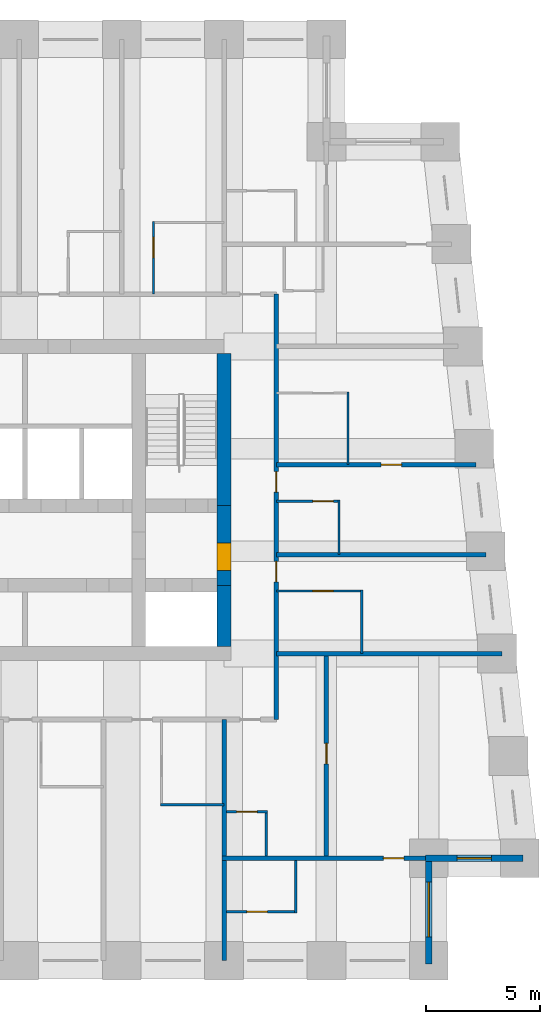
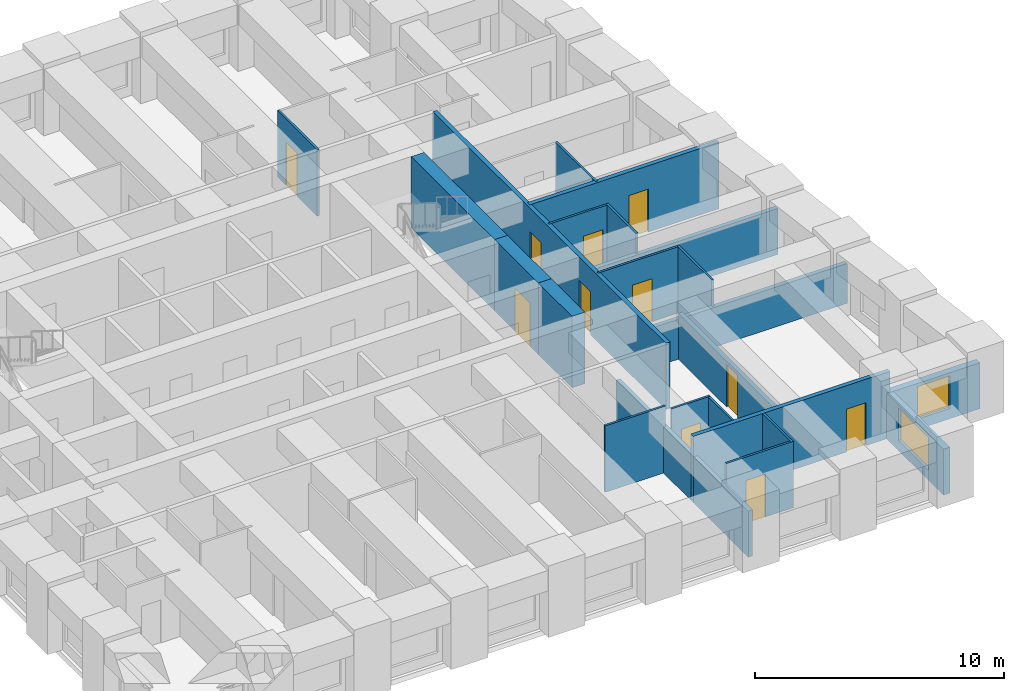
# One storey, part 5 of 8: 23 walls, 11 doors, 2 windows, 13 openings.
"""IFC4 building model written with IfcOpenShell, lengths in metres."""

import ifcopenshell
import ifcopenshell.guid

model = None  # the IFC model being written
_history = None  # IfcOwnerHistory: only IFC2X3 demands one
_inside = {}  # id of a spatial element -> (the spatial element, [elements in it])
_under = {}  # id of a project, library or spatial element -> (it, [spatial elements below it])
_declared = {}  # id of a project -> (the project, [libraries it declares])
_typed = {}  # id of a type object -> (the type object, [elements of that type])
_made_of = {}  # id of a material, layer set ... -> (it, [elements and type objects made of it])


def new_model(schema):
    """Start an empty IFC model of exactly this schema.

    Asked for "IFC4X3", IfcOpenShell would pick the latest addendum, in which some entities
    have other attributes; the version numbers below select the first issue.
    IFC2X3 requires an IfcOwnerHistory on every rooted entity: one is made here for all.
    """
    global model, _history
    if schema == "IFC4X3":
        model = ifcopenshell.file(schema_version=(4, 3, 0, 0))
    else:
        model = ifcopenshell.file(schema=schema)
    _inside.clear()
    _under.clear()
    _declared.clear()
    _typed.clear()
    _made_of.clear()
    _history = None
    if model.schema == "IFC2X3":
        org = make("IfcOrganization", Name="unknown")
        user = make(
            "IfcPersonAndOrganization",
            ThePerson=make("IfcPerson", FamilyName="unknown"),
            TheOrganization=org,
        )
        app = make(
            "IfcApplication",
            ApplicationDeveloper=org,
            Version="unknown",
            ApplicationFullName="unknown",
            ApplicationIdentifier="unknown",
        )
        _history = make(
            "IfcOwnerHistory",
            OwningUser=user,
            OwningApplication=app,
            ChangeAction="ADDED",
            CreationDate=0,
        )
    return model


def make(cls, **values):
    """One entity of the class cls with the attributes given. An attribute that is None is left unset."""
    return model.create_entity(
        cls, **{name: value for name, value in values.items() if value is not None}
    )


def rooted(cls, **values):
    """An entity with a GlobalId (a new one), such as an element, a storey or a relation."""
    return make(cls, GlobalId=ifcopenshell.guid.new(), OwnerHistory=_history, **values)


def si_unit(unit_type, name, prefix=None):
    """IfcSIUnit, for example si_unit("LENGTHUNIT", "METRE", prefix="MILLI")."""
    return make("IfcSIUnit", UnitType=unit_type, Prefix=prefix, Name=name)


def assignment(units):
    """IfcUnitAssignment: the units of a project."""
    return None if units is None else make("IfcUnitAssignment", Units=units)


def point(xyz):
    """IfcCartesianPoint."""
    return None if xyz is None else make("IfcCartesianPoint", Coordinates=xyz)


def direction(xyz):
    """IfcDirection."""
    return None if xyz is None else make("IfcDirection", DirectionRatios=xyz)


def frame(location, z_axis=None, x_axis=None):
    """IfcAxis2Placement3D, a coordinate frame: its origin and axes. An axis left out is left unset."""
    return make(
        "IfcAxis2Placement3D",
        Location=point(location),
        Axis=direction(z_axis),
        RefDirection=direction(x_axis),
    )


def frame_2d(location, x_axis=None):
    """IfcAxis2Placement2D, a coordinate frame in the plane: its origin and x axis."""
    return make(
        "IfcAxis2Placement2D", Location=point(location), RefDirection=direction(x_axis)
    )


def origin():
    """The frame at (0, 0, 0) with its axes left unset."""
    return frame((0.0, 0.0, 0.0))


def place(relative_to, where):
    """IfcLocalPlacement: puts the frame where relative to a parent placement (None: the world)."""
    return make(
        "IfcLocalPlacement", PlacementRelTo=relative_to, RelativePlacement=where
    )


def context(
    kind, dimensions, precision=None, world=None, true_north=None, identifier=None
):
    """IfcGeometricRepresentationContext, for example the 3D "Model" context."""
    return make(
        "IfcGeometricRepresentationContext",
        ContextIdentifier=identifier,
        ContextType=kind,
        CoordinateSpaceDimension=dimensions,
        Precision=precision,
        WorldCoordinateSystem=world,
        TrueNorth=true_north,
    )


def subcontext(parent, identifier, kind, view, scale=None):
    """IfcGeometricRepresentationSubContext, for example "Body" below "Model"."""
    return make(
        "IfcGeometricRepresentationSubContext",
        ContextIdentifier=identifier,
        ContextType=kind,
        ParentContext=parent,
        TargetScale=scale,
        TargetView=view,
    )


def project(units=None, contexts=None):
    """IfcProject with its units and contexts."""
    return rooted(
        "IfcProject",
        Name="project",
        RepresentationContexts=contexts,
        UnitsInContext=assignment(units),
    )


def spatial(cls, under=None, at=None, **own):
    """A site, building, storey or space (cls), placed at a placement, below another one or the project."""
    s = rooted(cls, ObjectPlacement=at, **own)
    if under is not None:
        _under.setdefault(under.id(), (under, []))[1].append(s)
    return s


def profile(cls, at=None, kind="AREA", **sizes):
    """A parametric profile (cls). Its sizes go by their IFC names, for example OverallWidth=200.0."""
    return make(cls, ProfileType=kind, Position=at, **sizes)


def rectangle(**sizes):
    """IfcRectangleProfileDef."""
    return profile("IfcRectangleProfileDef", **sizes)


def extrude(swept, where, along, depth):
    """IfcExtrudedAreaSolid: the profile swept, set in the frame where, extruded along a direction by depth."""
    return make(
        "IfcExtrudedAreaSolid",
        SweptArea=swept,
        Position=where,
        ExtrudedDirection=direction(along),
        Depth=depth,
    )


def shape(context_of_items, identifier, shape_type, items):
    """IfcShapeRepresentation: the items that make up one representation, for example the "Body"."""
    return make(
        "IfcShapeRepresentation",
        ContextOfItems=context_of_items,
        RepresentationIdentifier=identifier,
        RepresentationType=shape_type,
        Items=items,
    )


def material(Name=None, Category=None):
    """IfcMaterial."""
    return make("IfcMaterial", Name=Name, Category=Category)


def layer(
    of_material, thickness, ventilated=None, Name=None, Category=None, Priority=None
):
    """IfcMaterialLayer: one layer of a wall or slab, of a material (None: an air gap)."""
    return make(
        "IfcMaterialLayer",
        Material=of_material,
        LayerThickness=thickness,
        IsVentilated=ventilated,
        Name=Name,
        Category=Category,
        Priority=Priority,
    )


def layer_set(layers, Name=None):
    """IfcMaterialLayerSet."""
    return make("IfcMaterialLayerSet", MaterialLayers=layers, LayerSetName=Name)


def made_of(thing, what):
    """Note that an element or type object is made of a material, layer set ...; save() writes the relation."""
    if what is not None:
        _made_of.setdefault(what.id(), (what, []))[1].append(thing)
    return thing


def type_object(cls, material=None, **own):
    """A type object (cls), such as IfcWallType, which elements share."""
    return made_of(rooted(cls, **own), material)


def element(
    cls,
    number,
    at=None,
    inside=None,
    cuts=None,
    type_object=None,
    material=None,
    context=None,
    identifier="Body",
    shape_type=None,
    held_by="IfcProductDefinitionShape",
    body=None,
    shapes=None,
    **own,
):
    """One element of the class cls, such as IfcWall. Its Tag is "e" and its number.

    at: its placement. inside: the storey or other place that contains it. cuts: it is an
    opening in that element (IfcRelVoidsElement). A single representation is given by context,
    identifier, shape_type and body (its items); several are given by shapes. held_by: the class
    of the entity that holds the representations. save() writes the other relations.
    """
    e = rooted(cls, Tag="e%d" % number, ObjectPlacement=at, **own)
    if body is not None:
        shapes = [shape(context, identifier, shape_type, body)]
    if shapes is not None:
        e.Representation = make(held_by, Representations=shapes)
    if inside is not None:
        _inside.setdefault(inside.id(), (inside, []))[1].append(e)
    if cuts is not None:
        rooted(
            "IfcRelVoidsElement", RelatingBuildingElement=cuts, RelatedOpeningElement=e
        )
    if type_object is not None:
        _typed.setdefault(type_object.id(), (type_object, []))[1].append(e)
    return made_of(e, material)


def fill(opening, filler):
    """IfcRelFillsElement: the door or window that sits in an opening."""
    return rooted(
        "IfcRelFillsElement",
        RelatingOpeningElement=opening,
        RelatedBuildingElement=filler,
    )


def aggregate(whole, parts):
    """IfcRelAggregates: a whole, such as a stair, and the parts it consists of."""
    return rooted("IfcRelAggregates", RelatingObject=whole, RelatedObjects=parts)


def save(model, path):
    """Write the relations noted so far, then the file.

    IfcRelAggregates (storeys below a building ...), IfcRelContainedInSpatialStructure (elements
    in a storey), IfcRelDefinesByType, IfcRelAssociatesMaterial and IfcRelDeclares: one each for
    every whole, place, type object, material and project.
    """
    for whole, parts in _under.values():
        aggregate(whole, parts)
    for where, things in _inside.values():
        rooted(
            "IfcRelContainedInSpatialStructure",
            RelatedElements=things,
            RelatingStructure=where,
        )
    for kind, things in _typed.values():
        rooted("IfcRelDefinesByType", RelatedObjects=things, RelatingType=kind)
    for what, things in _made_of.values():
        rooted("IfcRelAssociatesMaterial", RelatedObjects=things, RelatingMaterial=what)
    for by, libraries in _declared.values():
        rooted("IfcRelDeclares", RelatingContext=by, RelatedDefinitions=libraries)
    model.write(path)


model = new_model("IFC4")

# Units and contexts
model_context = context("Model", 3, precision=1e-05, world=origin(), true_north=direction((0.0, 1.0)))
body_context = subcontext(model_context, "Body", "Model", "MODEL_VIEW")
ifc_project = project(units=[si_unit("LENGTHUNIT", "METRE"), si_unit("AREAUNIT", "SQUARE_METRE"), si_unit("VOLUMEUNIT", "CUBIC_METRE"), si_unit("PLANEANGLEUNIT", "RADIAN"), si_unit("MASSUNIT", "GRAM", prefix="KILO")], contexts=[model_context])

# Site, building, storey
site_placement = place(None, origin())
site = spatial("IfcSite", under=ifc_project, at=site_placement, CompositionType="ELEMENT")
building_placement = place(site_placement, origin())
building = spatial("IfcBuilding", under=site, at=building_placement, Name="Kilele Tower Hotel", CompositionType="ELEMENT")
storey_placement = place(building_placement, frame((0.0, 0.0, 204.39990234375)))
storey = spatial("IfcBuildingStorey", under=building, at=storey_placement, Name="L53", CompositionType="ELEMENT", Elevation=204.39990234375)

# Walls
ifc_material_1 = material(Name="Moisture-resistant board")
ifc_layer_1 = layer(ifc_material_1, 0.10009765625)
ifc_layer_set_1 = layer_set([ifc_layer_1], Name="Moisture-resistant board")
wall_type_1 = type_object("IfcWallType", Name="Bathroom partition 100", PredefinedType="PLUMBINGWALL", material=ifc_layer_set_1)
for number, where, z_axis, x_axis, name in (
    (1, (33.199951171875, 6.85009765625, 0.0), (0.0, 0.0, 1.0), (1.0, 0.0, 0.0), "Bathroom partition 100 L53"),
    (2, (42.050048828125, 13.5, 0.0), (0.0, 0.0, 1.0), (0.0, 1.0, 0.0), "Bathroom partition 100 L53"),
):
    element("IfcWall", number, at=place(storey_placement, frame(where, z_axis=z_axis, x_axis=x_axis)), inside=storey, type_object=wall_type_1, Name=name, PredefinedType="PLUMBINGWALL", context=body_context, shape_type="SweptSolid", body=[
        extrude(rectangle(XDim=2.800048828125, YDim=0.10009765625, at=frame_2d((1.39990234375, 0.0))), origin(), (0.0, 0.0, 1.0), 3.25),
    ])

# Wall, opening, door
wall_1_placement = place(storey_placement, frame((38.300048828125, 16.25, 0.0), z_axis=(0.0, 0.0, 1.0), x_axis=(1.0, 0.0, 0.0)))
wall_1 = element("IfcWall", 3, at=wall_1_placement, inside=storey, type_object=wall_type_1, Name="Bathroom partition 100 L53", PredefinedType="PLUMBINGWALL", context=body_context, shape_type="SweptSolid", body=[
    extrude(rectangle(XDim=3.800048828125, YDim=0.10009765625, at=frame_2d((1.89990234375, 0.0))), origin(), (0.0, 0.0, 1.0), 3.25),
])
opening_1_placement = place(wall_1_placement, frame((1.60009765625, 0.0, 0.0)))
opening_1 = element("IfcOpeningElement", 4, at=opening_1_placement, cuts=wall_1, Name="Opening D2A", PredefinedType="OPENING", context=body_context, shape_type="SweptSolid", body=[
    extrude(rectangle(XDim=0.89990234375, YDim=2.10009765625, at=frame_2d((0.449951171875, 1.050048828125))), frame((0.0, 0.06005859375, 0.0), z_axis=(0.0, -1.0, 0.0), x_axis=(1.0, 0.0, 0.0)), (0.0, 0.0, 1.0), 0.1201171875),
])
ifc_material_2 = material(Name="Timber door leaf in hardwood frame", Category="wood")
door_type_1 = type_object("IfcDoorType", Name="Bathroom door 900", OperationType="SINGLE_SWING_LEFT", PredefinedType="DOOR", material=ifc_material_2)
door_1_placement = place(opening_1_placement, origin())
door_1 = element("IfcDoor", 5, at=door_1_placement, inside=storey, type_object=door_type_1, Name="Bathroom door 5306B", OperationType="SINGLE_SWING_LEFT", OverallHeight=2.10009765625, OverallWidth=0.89990234375, PredefinedType="DOOR", context=body_context, shape_type="SweptSolid", body=[
    extrude(rectangle(XDim=0.89990234375, YDim=2.10009765625, at=frame_2d((0.449951171875, 1.050048828125))), frame((0.0, 0.02490234375, 0.0), z_axis=(0.0, -1.0, 0.0), x_axis=(1.0, 0.0, 0.0)), (0.0, 0.0, 1.0), 0.050048828125),
])
fill(opening_1, door_1)

# Wall
wall_2_placement = place(storey_placement, frame((41.050048828125, 17.85009765625, 0.0), z_axis=(0.0, 0.0, 1.0), x_axis=(0.0, 1.0, 0.0)))
element("IfcWall", 6, at=wall_2_placement, inside=storey, type_object=wall_type_1, Name="Bathroom partition 100 L53", PredefinedType="PLUMBINGWALL", context=body_context, shape_type="SweptSolid", body=[
    extrude(rectangle(XDim=2.39990234375, YDim=0.10009765625, at=frame_2d((1.199951171875, 0.0))), origin(), (0.0, 0.0, 1.0), 3.25),
])

# Wall, opening, door
wall_3_placement = place(storey_placement, frame((38.300048828125, 20.199951171875, 0.0), z_axis=(0.0, 0.0, 1.0), x_axis=(1.0, 0.0, 0.0)))
wall_3 = element("IfcWall", 7, at=wall_3_placement, inside=storey, type_object=wall_type_1, Name="Bathroom partition 100 L53", PredefinedType="PLUMBINGWALL", context=body_context, shape_type="SweptSolid", body=[
    extrude(rectangle(XDim=2.800048828125, YDim=0.10009765625, at=frame_2d((1.39990234375, 0.0))), origin(), (0.0, 0.0, 1.0), 3.25),
])
opening_2_placement = place(wall_3_placement, frame((1.60009765625, 0.0, 0.0)))
opening_2 = element("IfcOpeningElement", 8, at=opening_2_placement, cuts=wall_3, Name="Opening D2A", PredefinedType="OPENING", context=body_context, shape_type="SweptSolid", body=[
    extrude(rectangle(XDim=0.89990234375, YDim=2.10009765625, at=frame_2d((0.449951171875, 1.050048828125))), frame((0.0, 0.06005859375, 0.0), z_axis=(0.0, -1.0, 0.0), x_axis=(1.0, 0.0, 0.0)), (0.0, 0.0, 1.0), 0.1201171875),
])
door_2_placement = place(opening_2_placement, origin())
door_2 = element("IfcDoor", 9, at=door_2_placement, inside=storey, type_object=door_type_1, Name="Bathroom door 5307B", OperationType="SINGLE_SWING_LEFT", OverallHeight=2.10009765625, OverallWidth=0.89990234375, PredefinedType="DOOR", context=body_context, shape_type="SweptSolid", body=[
    extrude(rectangle(XDim=0.89990234375, YDim=2.10009765625, at=frame_2d((0.449951171875, 1.050048828125))), frame((0.0, 0.02490234375, 0.0), z_axis=(0.0, -1.0, 0.0), x_axis=(1.0, 0.0, 0.0)), (0.0, 0.0, 1.0), 0.050048828125),
])
fill(opening_2, door_2)

# Wall
wall_4_placement = place(storey_placement, frame((41.449951171875, 21.800048828125, 0.0), z_axis=(0.0, 0.0, 1.0), x_axis=(0.0, 1.0, 0.0)))
element("IfcWall", 10, at=wall_4_placement, inside=storey, type_object=wall_type_1, Name="Bathroom partition 100 L53", PredefinedType="PLUMBINGWALL", context=body_context, shape_type="SweptSolid", body=[
    extrude(rectangle(XDim=3.199951171875, YDim=0.10009765625, at=frame_2d((1.60009765625, 0.0))), origin(), (0.0, 0.0, 1.0), 3.25),
])

# Wall, opening, door
wall_5_placement = place(storey_placement, frame((32.89990234375, 29.300048828125, 0.0), z_axis=(0.0, 0.0, 1.0), x_axis=(0.0, 1.0, 0.0)))
wall_5 = element("IfcWall", 11, at=wall_5_placement, inside=storey, type_object=wall_type_1, Name="Bathroom partition 100 L53", PredefinedType="PLUMBINGWALL", context=body_context, shape_type="SweptSolid", body=[
    extrude(rectangle(XDim=3.199951171875, YDim=0.10009765625, at=frame_2d((1.60009765625, 0.0))), origin(), (0.0, 0.0, 1.0), 3.25),
])
opening_3_placement = place(wall_5_placement, frame((1.60009765625, 0.0, 0.0)))
opening_3 = element("IfcOpeningElement", 12, at=opening_3_placement, cuts=wall_5, Name="Opening D2A", PredefinedType="OPENING", context=body_context, shape_type="SweptSolid", body=[
    extrude(rectangle(XDim=0.89990234375, YDim=2.10009765625, at=frame_2d((0.449951171875, 1.050048828125))), frame((0.0, 0.06005859375, 0.0), z_axis=(0.0, -1.0, 0.0), x_axis=(1.0, 0.0, 0.0)), (0.0, 0.0, 1.0), 0.1201171875),
])
door_3_placement = place(opening_3_placement, origin())
door_3 = element("IfcDoor", 13, at=door_3_placement, inside=storey, type_object=door_type_1, Name="Bathroom door 5313B", OperationType="SINGLE_SWING_LEFT", OverallHeight=2.10009765625, OverallWidth=0.89990234375, PredefinedType="DOOR", context=body_context, shape_type="SweptSolid", body=[
    extrude(rectangle(XDim=0.89990234375, YDim=2.10009765625, at=frame_2d((0.449951171875, 1.050048828125))), frame((0.0, 0.02490234375, 0.0), z_axis=(0.0, -1.0, 0.0), x_axis=(1.0, 0.0, 0.0)), (0.0, 0.0, 1.0), 0.050048828125),
])
fill(opening_3, door_3)

# Wall
wall_6_placement = place(storey_placement, frame((37.85009765625, 4.60009765625, 0.0), z_axis=(0.0, 0.0, 1.0), x_axis=(0.0, 1.0, 0.0)))
element("IfcWall", 14, at=wall_6_placement, inside=storey, type_object=wall_type_1, Name="Bathroom partition 100 L53", PredefinedType="PLUMBINGWALL", context=body_context, shape_type="SweptSolid", body=[
    extrude(rectangle(XDim=2.0, YDim=0.10009765625, at=frame_2d((1.0, 0.0))), origin(), (0.0, 0.0, 1.0), 3.25),
])

# Wall, opening, door
wall_7_placement = place(storey_placement, frame((36.10009765625, 6.550048828125, 0.0), z_axis=(0.0, 0.0, 1.0), x_axis=(1.0, 0.0, 0.0)))
wall_7 = element("IfcWall", 15, at=wall_7_placement, inside=storey, type_object=wall_type_1, Name="Bathroom partition 100 L53", PredefinedType="PLUMBINGWALL", context=body_context, shape_type="SweptSolid", body=[
    extrude(rectangle(XDim=1.7998046875, YDim=0.10009765625, at=frame_2d((0.89990234375, 0.0))), origin(), (0.0, 0.0, 1.0), 3.25),
])
opening_4_placement = place(wall_7_placement, frame((0.449951171875, 0.0, 0.0)))
opening_4 = element("IfcOpeningElement", 16, at=opening_4_placement, cuts=wall_7, Name="Opening D2A", PredefinedType="OPENING", context=body_context, shape_type="SweptSolid", body=[
    extrude(rectangle(XDim=0.89990234375, YDim=2.10009765625, at=frame_2d((0.449951171875, 1.050048828125))), frame((0.0, 0.06005859375, 0.0), z_axis=(0.0, -1.0, 0.0), x_axis=(1.0, 0.0, 0.0)), (0.0, 0.0, 1.0), 0.1201171875),
])
door_4_placement = place(opening_4_placement, origin())
door_4 = element("IfcDoor", 17, at=door_4_placement, inside=storey, type_object=door_type_1, Name="Bathroom door 5319P", OperationType="SINGLE_SWING_LEFT", OverallHeight=2.10009765625, OverallWidth=0.89990234375, PredefinedType="DOOR", context=body_context, shape_type="SweptSolid", body=[
    extrude(rectangle(XDim=0.89990234375, YDim=2.10009765625, at=frame_2d((0.449951171875, 1.050048828125))), frame((0.0, 0.02490234375, 0.0), z_axis=(0.0, -1.0, 0.0), x_axis=(1.0, 0.0, 0.0)), (0.0, 0.0, 1.0), 0.050048828125),
])
fill(opening_4, door_4)

# Wall
wall_8_placement = place(storey_placement, frame((39.14990234375, 4.39990234375, 0.0), z_axis=(0.0, 0.0, 1.0), x_axis=(0.0, -1.0, 0.0)))
element("IfcWall", 18, at=wall_8_placement, inside=storey, type_object=wall_type_1, Name="Bathroom partition 100 L53", PredefinedType="PLUMBINGWALL", context=body_context, shape_type="SweptSolid", body=[
    extrude(rectangle(XDim=2.2998046875, YDim=0.10009765625, at=frame_2d((1.14990234375, 0.0))), origin(), (0.0, 0.0, 1.0), 3.25),
])

# Wall, opening, door
wall_9_placement = place(storey_placement, frame((36.10009765625, 2.14990234375, 0.0), z_axis=(0.0, 0.0, 1.0), x_axis=(1.0, 0.0, 0.0)))
wall_9 = element("IfcWall", 19, at=wall_9_placement, inside=storey, type_object=wall_type_1, Name="Bathroom partition 100 L53", PredefinedType="PLUMBINGWALL", context=body_context, shape_type="SweptSolid", body=[
    extrude(rectangle(XDim=3.099853515625, YDim=0.10009765625, at=frame_2d((1.5498046875, 0.0))), origin(), (0.0, 0.0, 1.0), 3.25),
])
opening_5_placement = place(wall_9_placement, frame((1.7998046875, 0.0, 0.0), z_axis=(0.0, 0.0, 1.0), x_axis=(-1.0, 0.0, 0.0)))
opening_5 = element("IfcOpeningElement", 20, at=opening_5_placement, cuts=wall_9, Name="Opening D2A", PredefinedType="OPENING", context=body_context, shape_type="SweptSolid", body=[
    extrude(rectangle(XDim=0.89990234375, YDim=2.10009765625, at=frame_2d((0.449951171875, 1.050048828125))), frame((0.0, 0.06005859375, 0.0), z_axis=(0.0, -1.0, 0.0), x_axis=(1.0, 0.0, 0.0)), (0.0, 0.0, 1.0), 0.1201171875),
])
door_5_placement = place(opening_5_placement, origin())
door_5 = element("IfcDoor", 21, at=door_5_placement, inside=storey, type_object=door_type_1, Name="Bathroom door 5321B", OperationType="SINGLE_SWING_RIGHT", OverallHeight=2.10009765625, OverallWidth=0.89990234375, PredefinedType="DOOR", context=body_context, shape_type="SweptSolid", body=[
    extrude(rectangle(XDim=0.89990234375, YDim=2.10009765625, at=frame_2d((0.449951171875, 1.050048828125))), frame((0.0, 0.02490234375, 0.0), z_axis=(0.0, -1.0, 0.0), x_axis=(1.0, 0.0, 0.0)), (0.0, 0.0, 1.0), 0.050048828125),
])
fill(opening_5, door_5)

# Wall
ifc_material_3 = material(Name="Concrete C70/85", Category="concrete")
ifc_layer_2 = layer(ifc_material_3, 0.60009765625)
ifc_layer_set_2 = layer_set([ifc_layer_2], Name="Concrete C70/85")
wall_type_2 = type_object("IfcWallType", Name="Core wall 600 C70/85", PredefinedType="SHEAR", material=ifc_layer_set_2)
wall_10_placement = place(storey_placement, frame((36.0, 13.800048828125, 0.0), z_axis=(0.0, 0.0, 1.0), x_axis=(0.0, 1.0, 0.0)))
element("IfcWall", 22, at=wall_10_placement, inside=storey, type_object=wall_type_2, Name="Core wall E1 L53", PredefinedType="SHEAR", context=body_context, shape_type="SweptSolid", body=[
    extrude(rectangle(XDim=2.699951171875, YDim=0.60009765625, at=frame_2d((1.35009765625, 0.0))), origin(), (0.0, 0.0, 1.0), 3.5),
])

# Wall, opening, door
wall_11_placement = place(storey_placement, frame((36.0, 16.5, 0.0), z_axis=(0.0, 0.0, 1.0), x_axis=(0.0, 1.0, 0.0)))
wall_11 = element("IfcWall", 23, at=wall_11_placement, inside=storey, type_object=wall_type_2, Name="Core wall E2 L53", PredefinedType="SHEAR", context=body_context, shape_type="SweptSolid", body=[
    extrude(rectangle(XDim=3.5, YDim=0.60009765625, at=frame_2d((1.75, 0.0))), origin(), (0.0, 0.0, 1.0), 3.5),
])
opening_6_placement = place(wall_11_placement, frame((0.64990234375, 0.0, 0.0)))
opening_6 = element("IfcOpeningElement", 24, at=opening_6_placement, cuts=wall_11, Name="Opening D4", PredefinedType="OPENING", context=body_context, shape_type="SweptSolid", body=[
    extrude(rectangle(XDim=1.199951171875, YDim=2.10009765625, at=frame_2d((0.60009765625, 1.050048828125))), frame((0.0, 0.31005859375, 0.0), z_axis=(0.0, -1.0, 0.0), x_axis=(1.0, 0.0, 0.0)), (0.0, 0.0, 1.0), 0.6201171875),
])
ifc_material_4 = material(Name="Timber door leaf in hardwood frame", Category="wood")
door_type_2 = type_object("IfcDoorType", Name="Firefighting lobby door 1200", OperationType="SINGLE_SWING_LEFT", PredefinedType="DOOR", material=ifc_material_4)
door_6_placement = place(opening_6_placement, origin())
door_6 = element("IfcDoor", 25, at=door_6_placement, inside=storey, type_object=door_type_2, Name="Lobby door L53", OperationType="SINGLE_SWING_LEFT", OverallHeight=2.10009765625, OverallWidth=1.199951171875, PredefinedType="DOOR", context=body_context, shape_type="SweptSolid", body=[
    extrude(rectangle(XDim=1.199951171875, YDim=2.10009765625, at=frame_2d((0.60009765625, 1.050048828125))), frame((0.0, 0.2998046875, 0.0), z_axis=(0.0, -1.0, 0.0), x_axis=(1.0, 0.0, 0.0)), (0.0, 0.0, 1.0), 0.599609375),
])
fill(opening_6, door_6)

# Wall
wall_12_placement = place(storey_placement, frame((36.0, 20.0, 0.0), z_axis=(0.0, 0.0, 1.0), x_axis=(0.0, 1.0, 0.0)))
element("IfcWall", 26, at=wall_12_placement, inside=storey, type_object=wall_type_2, Name="Core wall E3 L53", PredefinedType="SHEAR", context=body_context, shape_type="SweptSolid", body=[
    extrude(rectangle(XDim=6.699951171875, YDim=0.60009765625, at=frame_2d((3.35009765625, 0.0))), origin(), (0.0, 0.0, 1.0), 3.5),
])

# Wall, openings, doors
ifc_material_5 = material(Name="Blockwork, plastered both sides", Category="masonry")
ifc_layer_3 = layer(ifc_material_5, 0.199951171875)
ifc_layer_set_3 = layer_set([ifc_layer_3], Name="Blockwork, plastered both sides")
wall_type_3 = type_object("IfcWallType", Name="Corridor wall 200", PredefinedType="PARTITIONING", material=ifc_layer_set_3)
wall_13_placement = place(storey_placement, frame((38.300048828125, 10.60009765625, 0.0), z_axis=(0.0, 0.0, 1.0), x_axis=(0.0, 1.0, 0.0)))
wall_13 = element("IfcWall", 27, at=wall_13_placement, inside=storey, type_object=wall_type_3, Name="Corridor wall 200 L53", PredefinedType="PARTITIONING", context=body_context, shape_type="SweptSolid", body=[
    extrude(rectangle(XDim=18.699951171875, YDim=0.199951171875, at=frame_2d((9.35009765625, 0.0))), origin(), (0.0, 0.0, 1.0), 3.25),
])
opening_7_placement = place(wall_13_placement, frame((6.949951171875, 0.0, 0.0), z_axis=(0.0, 0.0, 1.0), x_axis=(-1.0, 0.0, 0.0)))
opening_7 = element("IfcOpeningElement", 28, at=opening_7_placement, cuts=wall_13, Name="Opening D1", PredefinedType="OPENING", context=body_context, shape_type="SweptSolid", body=[
    extrude(rectangle(XDim=0.89990234375, YDim=2.10009765625, at=frame_2d((0.449951171875, 1.050048828125))), frame((0.0, 0.10986328125, 0.0), z_axis=(0.0, -1.0, 0.0), x_axis=(1.0, 0.0, 0.0)), (0.0, 0.0, 1.0), 0.219970703125),
])
opening_8_placement = place(wall_13_placement, frame((10.89990234375, 0.0, 0.0), z_axis=(0.0, 0.0, 1.0), x_axis=(-1.0, 0.0, 0.0)))
opening_8 = element("IfcOpeningElement", 29, at=opening_8_placement, cuts=wall_13, Name="Opening D1", PredefinedType="OPENING", context=body_context, shape_type="SweptSolid", body=[
    extrude(rectangle(XDim=0.89990234375, YDim=2.10009765625, at=frame_2d((0.449951171875, 1.050048828125))), frame((0.0, 0.10986328125, 0.0), z_axis=(0.0, -1.0, 0.0), x_axis=(1.0, 0.0, 0.0)), (0.0, 0.0, 1.0), 0.219970703125),
])
ifc_material_6 = material(Name="Timber door leaf in hardwood frame", Category="wood")
door_type_3 = type_object("IfcDoorType", Name="Guest room entrance door 900", OperationType="SINGLE_SWING_LEFT", PredefinedType="DOOR", material=ifc_material_6)
door_7_placement = place(opening_7_placement, origin())
door_7 = element("IfcDoor", 30, at=door_7_placement, inside=storey, type_object=door_type_3, Name="Room entrance 5306", OperationType="SINGLE_SWING_LEFT", OverallHeight=2.10009765625, OverallWidth=0.89990234375, PredefinedType="DOOR", context=body_context, shape_type="SweptSolid", body=[
    extrude(rectangle(XDim=0.89990234375, YDim=2.10009765625, at=frame_2d((0.449951171875, 1.050048828125))), frame((0.0, 0.02490234375, 0.0), z_axis=(0.0, -1.0, 0.0), x_axis=(1.0, 0.0, 0.0)), (0.0, 0.0, 1.0), 0.050048828125),
])
fill(opening_7, door_7)
door_8_placement = place(opening_8_placement, origin())
door_8 = element("IfcDoor", 31, at=door_8_placement, inside=storey, type_object=door_type_3, Name="Room entrance 5307", OperationType="SINGLE_SWING_LEFT", OverallHeight=2.10009765625, OverallWidth=0.89990234375, PredefinedType="DOOR", context=body_context, shape_type="SweptSolid", body=[
    extrude(rectangle(XDim=0.89990234375, YDim=2.10009765625, at=frame_2d((0.449951171875, 1.050048828125))), frame((0.0, 0.02490234375, 0.0), z_axis=(0.0, -1.0, 0.0), x_axis=(1.0, 0.0, 0.0)), (0.0, 0.0, 1.0), 0.050048828125),
])
fill(opening_8, door_8)

# Wall, opening, door
ifc_material_7 = material(Name="Blockwork, plastered both sides", Category="masonry")
ifc_layer_4 = layer(ifc_material_7, 0.199951171875)
ifc_layer_set_4 = layer_set([ifc_layer_4], Name="Blockwork, plastered both sides")
wall_type_4 = type_object("IfcWallType", Name="Partition wall 200", PredefinedType="PARTITIONING", material=ifc_layer_set_4)
wall_14_placement = place(storey_placement, frame((40.5, 4.60009765625, 0.0), z_axis=(0.0, 0.0, 1.0), x_axis=(0.0, 1.0, 0.0)))
wall_14 = element("IfcWall", 32, at=wall_14_placement, inside=storey, type_object=wall_type_4, Name="Partition wall 200 L53", PredefinedType="PARTITIONING", context=body_context, shape_type="SweptSolid", body=[
    extrude(rectangle(XDim=8.7998046875, YDim=0.199951171875, at=frame_2d((4.39990234375, 0.0))), origin(), (0.0, 0.0, 1.0), 2.25),
])
opening_9_placement = place(wall_14_placement, frame((4.050048828125, 0.0, 0.0)))
opening_9 = element("IfcOpeningElement", 33, at=opening_9_placement, cuts=wall_14, Name="Opening D3", PredefinedType="OPENING", context=body_context, shape_type="SweptSolid", body=[
    extrude(rectangle(XDim=0.89990234375, YDim=2.10009765625, at=frame_2d((0.449951171875, 1.050048828125))), frame((0.0, 0.10986328125, 0.0), z_axis=(0.0, -1.0, 0.0), x_axis=(1.0, 0.0, 0.0)), (0.0, 0.0, 1.0), 0.219970703125),
])
ifc_material_8 = material(Name="Timber door leaf in hardwood frame", Category="wood")
door_type_4 = type_object("IfcDoorType", Name="Suite internal door 900", OperationType="SINGLE_SWING_LEFT", PredefinedType="DOOR", material=ifc_material_8)
door_9_placement = place(opening_9_placement, origin())
door_9 = element("IfcDoor", 34, at=door_9_placement, inside=storey, type_object=door_type_4, Name="Suite door 5320", OperationType="SINGLE_SWING_RIGHT", OverallHeight=2.10009765625, OverallWidth=0.89990234375, PredefinedType="DOOR", context=body_context, shape_type="SweptSolid", body=[
    extrude(rectangle(XDim=0.89990234375, YDim=2.10009765625, at=frame_2d((0.449951171875, 1.050048828125))), frame((0.0, 0.02490234375, 0.0), z_axis=(0.0, -1.0, 0.0), x_axis=(1.0, 0.0, 0.0)), (0.0, 0.0, 1.0), 0.050048828125),
])
fill(opening_9, door_9)

# Wall
ifc_material_9 = material(Name="Blockwork, plastered both sides", Category="masonry")
ifc_layer_5 = layer(ifc_material_9, 0.199951171875)
ifc_layer_set_5 = layer_set([ifc_layer_5], Name="Blockwork, plastered both sides")
wall_type_5 = type_object("IfcWallType", Name="Party wall 200", PredefinedType="PARTITIONING", material=ifc_layer_set_5)
wall_15_placement = place(storey_placement, frame((38.300048828125, 17.85009765625, 0.0), z_axis=(0.0, 0.0, 1.0), x_axis=(1.0, 0.0, 0.0)))
element("IfcWall", 35, at=wall_15_placement, inside=storey, type_object=wall_type_5, Name="Party wall 200 L53", PredefinedType="PARTITIONING", context=body_context, shape_type="SweptSolid", body=[
    extrude(rectangle(XDim=9.215576171875, YDim=0.199951171875, at=frame_2d((4.60791015625, 0.0))), origin(), (0.0, 0.0, 1.0), 2.25),
])

# Wall, opening, door
wall_16_placement = place(storey_placement, frame((38.300048828125, 21.800048828125, 0.0), z_axis=(0.0, 0.0, 1.0), x_axis=(1.0, 0.0, 0.0)))
wall_16 = element("IfcWall", 36, at=wall_16_placement, inside=storey, type_object=wall_type_5, Name="Party wall 200 L53", PredefinedType="PARTITIONING", context=body_context, shape_type="SweptSolid", body=[
    extrude(rectangle(XDim=8.77685546875, YDim=0.199951171875, at=frame_2d((4.388427734375, 0.0))), origin(), (0.0, 0.0, 1.0), 3.25),
])
opening_10_placement = place(wall_16_placement, frame((4.60009765625, 0.0, 0.0)))
opening_10 = element("IfcOpeningElement", 37, at=opening_10_placement, cuts=wall_16, Name="Opening D3", PredefinedType="OPENING", context=body_context, shape_type="SweptSolid", body=[
    extrude(rectangle(XDim=0.89990234375, YDim=2.10009765625, at=frame_2d((0.449951171875, 1.050048828125))), frame((0.0, 0.10986328125, 0.0), z_axis=(0.0, -1.0, 0.0), x_axis=(1.0, 0.0, 0.0)), (0.0, 0.0, 1.0), 0.219970703125),
])
door_10_placement = place(opening_10_placement, origin())
door_10 = element("IfcDoor", 38, at=door_10_placement, inside=storey, type_object=door_type_4, Name="Suite door 5308", OperationType="SINGLE_SWING_LEFT", OverallHeight=2.10009765625, OverallWidth=0.89990234375, PredefinedType="DOOR", context=body_context, shape_type="SweptSolid", body=[
    extrude(rectangle(XDim=0.89990234375, YDim=2.10009765625, at=frame_2d((0.449951171875, 1.050048828125))), frame((0.0, 0.02490234375, 0.0), z_axis=(0.0, -1.0, 0.0), x_axis=(1.0, 0.0, 0.0)), (0.0, 0.0, 1.0), 0.050048828125),
])
fill(opening_10, door_10)

# Walls
wall_17_placement = place(storey_placement, frame((38.300048828125, 13.5, 0.0), z_axis=(0.0, 0.0, 1.0), x_axis=(1.0, 0.0, 0.0)))
element("IfcWall", 39, at=wall_17_placement, inside=storey, type_object=wall_type_5, Name="Party wall 200 L53", PredefinedType="PARTITIONING", context=body_context, shape_type="SweptSolid", body=[
    extrude(rectangle(XDim=9.921142578125, YDim=0.199951171875, at=frame_2d((4.96044921875, 0.0))), origin(), (0.0, 0.0, 1.0), 1.9501953125),
])
wall_18_placement = place(storey_placement, frame((36.0, 10.60009765625, 0.0), z_axis=(0.0, 0.0, 1.0), x_axis=(0.0, -1.0, 0.0)))
element("IfcWall", 40, at=wall_18_placement, inside=storey, type_object=wall_type_5, Name="Party wall 200 L53", PredefinedType="PARTITIONING", context=body_context, shape_type="SweptSolid", body=[
    extrude(rectangle(XDim=10.60009765625, YDim=0.199951171875, at=frame_2d((5.300048828125, 0.0))), origin(), (0.0, 0.0, 1.0), 2.25),
])

# Wall, opening, door
wall_19_placement = place(storey_placement, frame((35.89990234375, 4.5, 0.0), z_axis=(0.0, 0.0, 1.0), x_axis=(1.0, 0.0, 0.0)))
wall_19 = element("IfcWall", 41, at=wall_19_placement, inside=storey, type_object=wall_type_5, Name="Party wall 200 L53", PredefinedType="PARTITIONING", context=body_context, shape_type="SweptSolid", body=[
    extrude(rectangle(XDim=9.10009765625, YDim=0.199951171875, at=frame_2d((4.550048828125, 0.0))), origin(), (0.0, 0.0, 1.0), 3.25),
])
opening_11_placement = place(wall_19_placement, frame((7.10009765625, 0.0, 0.0)))
opening_11 = element("IfcOpeningElement", 42, at=opening_11_placement, cuts=wall_19, Name="Opening D3", PredefinedType="OPENING", context=body_context, shape_type="SweptSolid", body=[
    extrude(rectangle(XDim=0.89990234375, YDim=2.10009765625, at=frame_2d((0.449951171875, 1.050048828125))), frame((0.0, 0.10986328125, 0.0), z_axis=(0.0, -1.0, 0.0), x_axis=(1.0, 0.0, 0.0)), (0.0, 0.0, 1.0), 0.219970703125),
])
door_11_placement = place(opening_11_placement, origin())
door_11 = element("IfcDoor", 43, at=door_11_placement, inside=storey, type_object=door_type_4, Name="Suite door 5321", OperationType="SINGLE_SWING_RIGHT", OverallHeight=2.10009765625, OverallWidth=0.89990234375, PredefinedType="DOOR", context=body_context, shape_type="SweptSolid", body=[
    extrude(rectangle(XDim=0.89990234375, YDim=2.10009765625, at=frame_2d((0.449951171875, 1.050048828125))), frame((0.0, 0.02490234375, 0.0), z_axis=(0.0, -1.0, 0.0), x_axis=(1.0, 0.0, 0.0)), (0.0, 0.0, 1.0), 0.050048828125),
])
fill(opening_11, door_11)

# Wall, opening, window
ifc_material_10 = material(Name="Concrete C40/50 precast", Category="concrete")
ifc_layer_6 = layer(ifc_material_10, 0.260009765625, Name="Precast backing", Category="LoadBearing")
ifc_material_11 = material(Name="Reconstituted stone finish", Category="masonry")
ifc_layer_7 = layer(ifc_material_11, 0.0400390625, Name="Face mix", Category="Finish")
ifc_layer_set_6 = layer_set([ifc_layer_6, ifc_layer_7], Name="Precast concrete C40/50, reconstituted stone finish")
wall_type_6 = type_object("IfcWallType", Name="Precast stone facade wall 300", PredefinedType="STANDARD", material=ifc_layer_set_6)
wall_20_placement = place(storey_placement, frame((45.0, -0.14990234375, 0.0), z_axis=(0.0, 0.0, 1.0), x_axis=(0.0, 1.0, 0.0)))
wall_20 = element("IfcWall", 44, at=wall_20_placement, inside=storey, type_object=wall_type_6, Name="Facade wall L53 edge 4", PredefinedType="STANDARD", context=body_context, shape_type="SweptSolid", body=[
    extrude(rectangle(XDim=4.7998046875, YDim=0.300048828125, at=frame_2d((2.39990234375, 0.0))), origin(), (0.0, 0.0, 1.0), 2.25),
])
opening_12_placement = place(wall_20_placement, frame((1.199951171875, 0.0, 0.5)))
opening_12 = element("IfcOpeningElement", 45, at=opening_12_placement, cuts=wall_20, Name="Opening W3", PredefinedType="OPENING", context=body_context, shape_type="SweptSolid", body=[
    extrude(rectangle(XDim=2.39990234375, YDim=1.60009765625, at=frame_2d((1.199951171875, 0.800048828125))), frame((0.0, 0.159912109375, 0.0), z_axis=(0.0, -1.0, 0.0), x_axis=(1.0, 0.0, 0.0)), (0.0, 0.0, 1.0), 0.320068359375),
])
ifc_material_12 = material(Name="Aluminium frame, clear double glazing", Category="aluminium")
window_type_1 = type_object("IfcWindowType", Name="Window W3 2400 x 1600", PartitioningType="SINGLE_PANEL", PredefinedType="WINDOW", material=ifc_material_12)
window_1_placement = place(opening_12_placement, origin())
window_1 = element("IfcWindow", 46, at=window_1_placement, inside=storey, type_object=window_type_1, Name="Window L53", OverallHeight=1.60009765625, OverallWidth=2.39990234375, PartitioningType="SINGLE_PANEL", PredefinedType="WINDOW", context=body_context, shape_type="SweptSolid", body=[
    extrude(rectangle(XDim=2.39990234375, YDim=1.60009765625, at=frame_2d((1.199951171875, 0.800048828125))), frame((0.0, 0.030029296875, 0.0), z_axis=(0.0, -1.0, 0.0), x_axis=(1.0, 0.0, 0.0)), (0.0, 0.0, 1.0), 0.06005859375),
])
fill(opening_12, window_1)

wall_21_placement = place(storey_placement, frame((44.85009765625, 4.5, 0.0), z_axis=(0.0, 0.0, 1.0), x_axis=(1.0, 0.0, 0.0)))
wall_21 = element("IfcWall", 47, at=wall_21_placement, inside=storey, type_object=wall_type_6, Name="Facade wall L53 edge 5", PredefinedType="STANDARD", context=body_context, shape_type="SweptSolid", body=[
    extrude(rectangle(XDim=4.2998046875, YDim=0.300048828125, at=frame_2d((2.14990234375, 0.0))), origin(), (0.0, 0.0, 1.0), 2.25),
])
opening_13_placement = place(wall_21_placement, frame((1.39990234375, 0.0, 0.5)))
opening_13 = element("IfcOpeningElement", 48, at=opening_13_placement, cuts=wall_21, Name="Opening W3", PredefinedType="OPENING", context=body_context, shape_type="SweptSolid", body=[
    extrude(rectangle(XDim=1.5, YDim=1.60009765625, at=frame_2d((0.75, 0.800048828125))), frame((0.0, 0.159912109375, 0.0), z_axis=(0.0, -1.0, 0.0), x_axis=(1.0, 0.0, 0.0)), (0.0, 0.0, 1.0), 0.320068359375),
])
ifc_material_13 = material(Name="Aluminium frame, clear double glazing", Category="aluminium")
window_type_2 = type_object("IfcWindowType", Name="Window W3 1500 x 1600", PartitioningType="SINGLE_PANEL", PredefinedType="WINDOW", material=ifc_material_13)
window_2_placement = place(opening_13_placement, origin())
window_2 = element("IfcWindow", 49, at=window_2_placement, inside=storey, type_object=window_type_2, Name="Window L53", OverallHeight=1.60009765625, OverallWidth=1.5, PartitioningType="SINGLE_PANEL", PredefinedType="WINDOW", context=body_context, shape_type="SweptSolid", body=[
    extrude(rectangle(XDim=1.5, YDim=1.60009765625, at=frame_2d((0.75, 0.800048828125))), frame((0.0, 0.030029296875, 0.0), z_axis=(0.0, -1.0, 0.0), x_axis=(1.0, 0.0, 0.0)), (0.0, 0.0, 1.0), 0.06005859375),
])
fill(opening_13, window_2)

save(model, "model.ifc")
